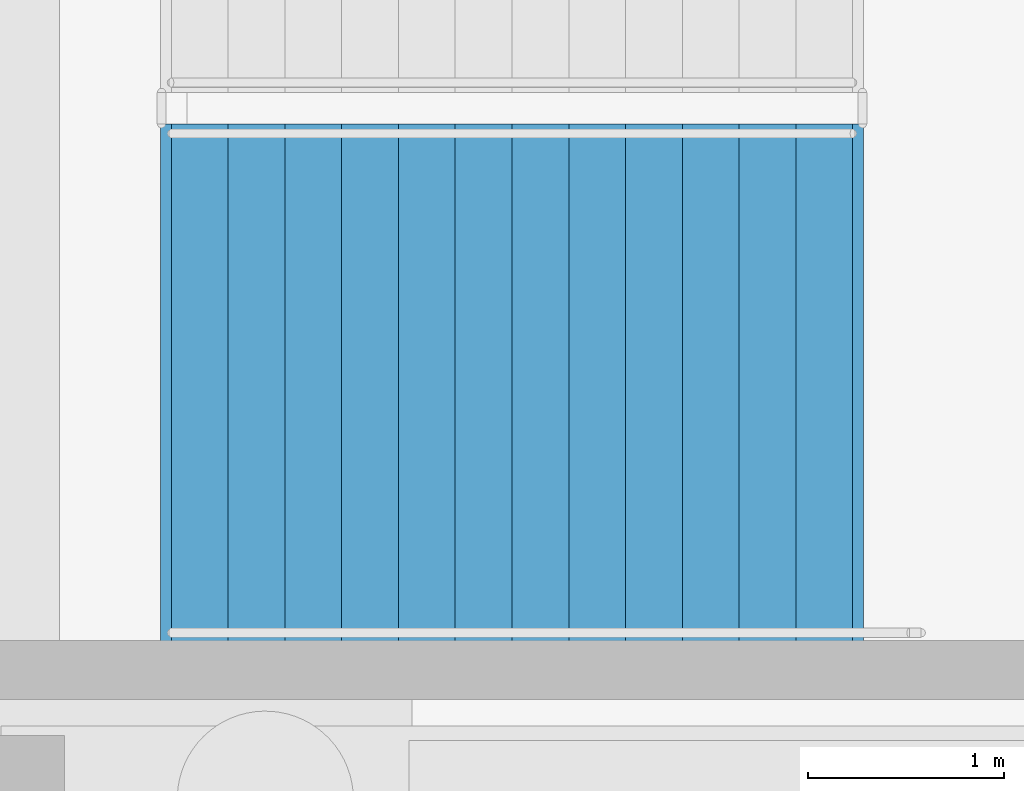
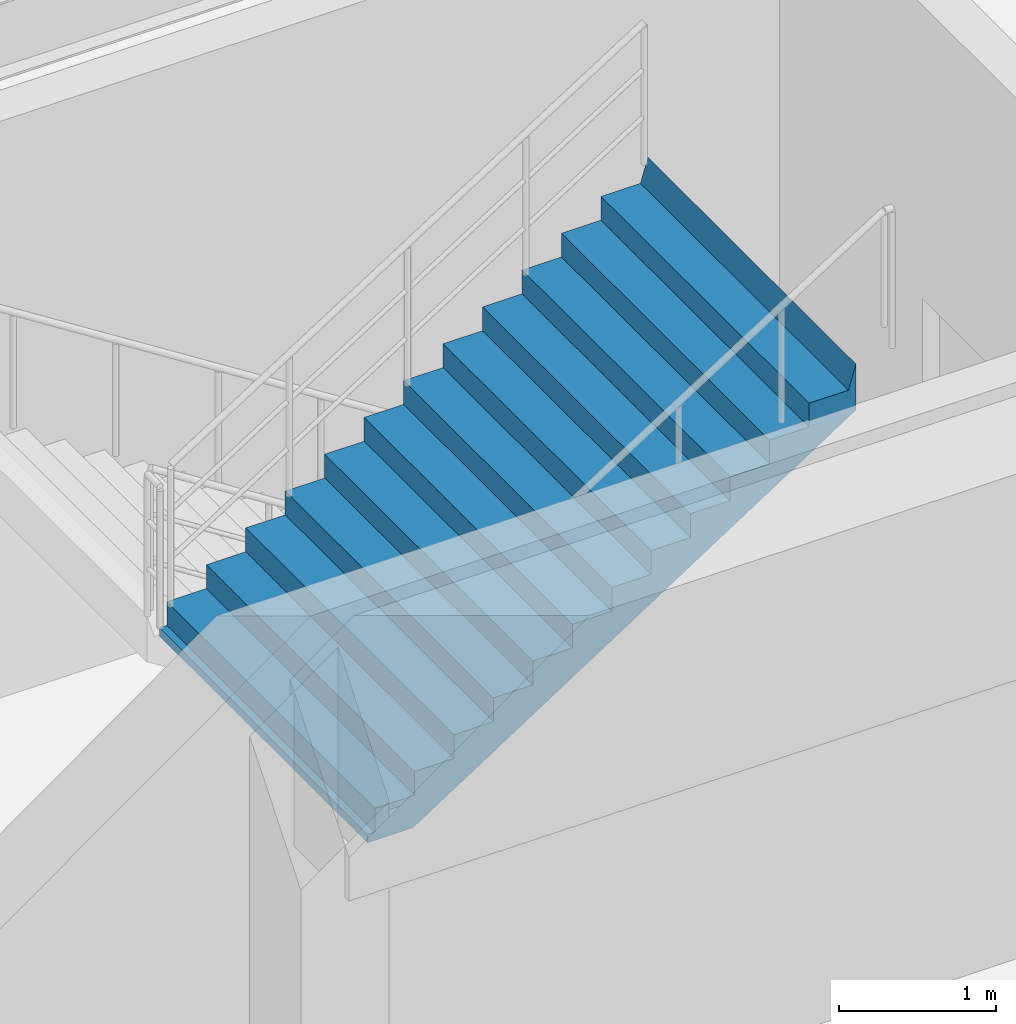
# One storey, part 44 of 68: 1 stair flight, 1 element without a shape of its own.
"""IFC4 building model written with IfcOpenShell, lengths in metres."""

from ifc_helpers import new_model, si_unit, direction, frame, origin, place, context, subcontext, project, spatial, polyline, outline, extrude, material, type_object, element, aggregate, save


model = new_model("IFC4")

# Units and contexts
model_context = context("Model", 3, precision=1e-05, world=origin(), true_north=direction((0.0, 1.0)))
body_context = subcontext(model_context, "Body", "Model", "MODEL_VIEW")
ifc_project = project(units=[si_unit("LENGTHUNIT", "METRE"), si_unit("AREAUNIT", "SQUARE_METRE"), si_unit("VOLUMEUNIT", "CUBIC_METRE"), si_unit("PLANEANGLEUNIT", "RADIAN"), si_unit("MASSUNIT", "GRAM", prefix="KILO")], contexts=[model_context])

# Site, building, storey
site_placement = place(None, origin())
site = spatial("IfcSite", under=ifc_project, at=site_placement, CompositionType="ELEMENT")
building_placement = place(site_placement, origin())
building = spatial("IfcBuilding", under=site, at=building_placement, Name="Cinderbank Siding Concert Hall", CompositionType="ELEMENT")
storey_placement = place(building_placement, frame((0.0, 0.0, -4.800048828125)))
storey = spatial("IfcBuildingStorey", under=building, at=storey_placement, Name="B1", CompositionType="ELEMENT", Elevation=-4.800048828125)

# Stair, stair flight
ifc_material = material(Name="Reinforced concrete AS 3600 N50 (50 MPa)", Category="concrete")
stair_type = type_object("IfcStairType", Name="STR-A Dogleg Exit Stair 2650mm", PredefinedType="HALF_TURN_STAIR", material=ifc_material)
stair_placement = place(storey_placement, origin())
stair = element("IfcStair", 1, at=stair_placement, inside=storey, type_object=stair_type, Name="B1 Chamber Pavilion Exit Stair ST-06", PredefinedType="HALF_TURN_STAIR")
stair_flight_type = type_object("IfcStairFlightType", Name="SFL-A Concrete Stair Flight 2650mm", PredefinedType="STRAIGHT", material=ifc_material)
stair_flight_placement = place(storey_placement, frame((13.27001953125, 30.125, 2.400146484375), z_axis=(0.0, 0.0, 1.0), x_axis=(1.0, 0.0, 0.0)))
stair_flight = element("IfcStairFlight", 2, at=stair_flight_placement, type_object=stair_flight_type, Name="ST-06 flight 2", NumberOfRisers=13, NumberOfTreads=12, PredefinedType="STRAIGHT", RiserHeight=0.184615385, TreadLength=0.29, context=body_context, shape_type="SweptSolid", body=[
    extrude(outline(polyline([(0.0, 0.0), (0.0, 0.1845703125), (0.2900390625, 0.1845703125), (0.2900390625, 0.369140625), (0.580078125, 0.369140625), (0.580078125, 0.553955078125), (0.8701171875, 0.553955078125), (0.8701171875, 0.738525390625), (1.159912109375, 0.738525390625), (1.159912109375, 0.923095703125), (1.449951171875, 0.923095703125), (1.449951171875, 1.107666015625), (1.739990234375, 1.107666015625), (1.739990234375, 1.292236328125), (2.030029296875, 1.292236328125), (2.030029296875, 1.476806640625), (2.320068359375, 1.476806640625), (2.320068359375, 1.66162109375), (2.610107421875, 1.66162109375), (2.610107421875, 1.84619140625), (2.89990234375, 1.84619140625), (2.89990234375, 2.03076171875), (3.18994140625, 2.03076171875), (3.18994140625, 2.21533203125), (3.47998046875, 2.21533203125), (3.534912109375, 2.39990234375), (3.534912109375, 2.03759765625), (3.53466796875, 2.037841796875), (3.53466796875, 2.0380859375), (3.53466796875, 2.038330078125), (3.53466796875, 2.03857421875), (3.53466796875, 2.038818359375), (3.53466796875, 2.0390625), (3.53466796875, 2.039306640625), (3.53466796875, 2.03955078125), (3.53466796875, 2.039794921875), (3.53466796875, 2.0400390625), (3.53466796875, 2.040283203125), (3.53466796875, 2.04052734375), (3.534423828125, 2.04052734375), (3.534423828125, 2.040283203125), (3.534423828125, 2.0400390625), (3.534423828125, 2.039794921875), (3.534423828125, 2.03955078125), (3.534423828125, 2.039306640625), (3.534423828125, 2.0390625), (3.534423828125, 2.038818359375), (3.534423828125, 2.03857421875), (3.534423828125, 2.038330078125), (3.534423828125, 2.0380859375), (3.534423828125, 2.037841796875), (3.534423828125, 2.03759765625), (3.5341796875, 2.037841796875), (3.5341796875, 2.0380859375), (3.5341796875, 2.038330078125), (3.5341796875, 2.03857421875), (3.5341796875, 2.038818359375), (3.5341796875, 2.0390625), (3.5341796875, 2.039306640625), (3.5341796875, 2.03955078125), (3.5341796875, 2.039794921875), (3.5341796875, 2.0400390625), (3.5341796875, 2.040283203125), (3.5341796875, 2.04052734375), (3.533935546875, 2.04052734375), (3.533935546875, 2.040283203125), (3.533935546875, 2.0400390625), (3.533935546875, 2.039794921875), (3.533935546875, 2.03955078125), (3.533935546875, 2.039306640625), (3.533935546875, 2.0390625), (3.533935546875, 2.038818359375), (3.533935546875, 2.03857421875), (3.533935546875, 2.038330078125), (3.533935546875, 2.0380859375), (3.533935546875, 2.037841796875), (3.533935546875, 2.03759765625), (3.53369140625, 2.037841796875), (3.53369140625, 2.0380859375), (3.53369140625, 2.038330078125), (3.53369140625, 2.03857421875), (3.53369140625, 2.038818359375), (3.53369140625, 2.0390625), (3.53369140625, 2.039306640625), (3.53369140625, 2.03955078125), (3.53369140625, 2.039794921875), (3.53369140625, 2.0400390625), (3.53369140625, 2.040283203125), (3.53369140625, 2.04052734375), (3.533447265625, 2.04052734375), (3.533447265625, 2.040283203125), (3.533447265625, 2.0400390625), (3.533447265625, 2.039794921875), (3.533447265625, 2.03955078125), (3.533447265625, 2.039306640625), (3.533447265625, 2.0390625), (3.533447265625, 2.038818359375), (3.533447265625, 2.03857421875), (3.533447265625, 2.038330078125), (3.533447265625, 2.0380859375), (3.533447265625, 2.037841796875), (3.533447265625, 2.03759765625), (3.533203125, 2.037841796875), (3.533203125, 2.0380859375), (3.533203125, 2.038330078125), (3.533203125, 2.03857421875), (3.533203125, 2.038818359375), (3.533203125, 2.0390625), (3.533203125, 2.039306640625), (3.533203125, 2.03955078125), (3.533203125, 2.039794921875), (3.533203125, 2.0400390625), (3.533203125, 2.040283203125), (3.533203125, 2.04052734375), (3.532958984375, 2.04052734375), (3.532958984375, 2.040283203125), (3.532958984375, 2.0400390625), (3.532958984375, 2.039794921875), (3.532958984375, 2.03955078125), (3.532958984375, 2.039306640625), (3.532958984375, 2.0390625), (3.532958984375, 2.038818359375), (3.532958984375, 2.03857421875), (3.532958984375, 2.038330078125), (3.532958984375, 2.0380859375), (3.532958984375, 2.037841796875), (3.532958984375, 2.03759765625), (3.53271484375, 2.037841796875), (3.53271484375, 2.0380859375), (3.53271484375, 2.038330078125), (3.53271484375, 2.03857421875), (3.53271484375, 2.038818359375), (3.53271484375, 2.0390625), (3.53271484375, 2.039306640625), (3.53271484375, 2.03955078125), (3.53271484375, 2.039794921875), (3.53271484375, 2.0400390625), (3.53271484375, 2.040283203125), (3.53271484375, 2.04052734375), (3.532470703125, 2.04052734375), (3.532470703125, 2.040283203125), (3.532470703125, 2.0400390625), (3.532470703125, 2.039794921875), (3.532470703125, 2.03955078125), (3.532470703125, 2.039306640625), (3.532470703125, 2.0390625), (3.532470703125, 2.038818359375), (3.532470703125, 2.03857421875), (3.532470703125, 2.038330078125), (3.532470703125, 2.0380859375), (3.532470703125, 2.037841796875), (3.532470703125, 2.03759765625), (3.5322265625, 2.037841796875), (3.5322265625, 2.0380859375), (3.5322265625, 2.038330078125), (3.5322265625, 2.03857421875), (3.5322265625, 2.038818359375), (3.5322265625, 2.0390625), (3.5322265625, 2.039306640625), (3.5322265625, 2.03955078125), (3.5322265625, 2.039794921875), (3.5322265625, 2.0400390625), (3.5322265625, 2.040283203125), (3.5322265625, 2.04052734375), (3.531982421875, 2.04052734375), (3.531982421875, 2.040283203125), (3.531982421875, 2.0400390625), (3.531982421875, 2.039794921875), (3.531982421875, 2.03955078125), (3.531982421875, 2.039306640625), (3.531982421875, 2.0390625), (3.531982421875, 2.038818359375), (3.531982421875, 2.03857421875), (3.531982421875, 2.038330078125), (3.531982421875, 2.0380859375), (3.531982421875, 2.037841796875), (3.531982421875, 2.03759765625), (3.53173828125, 2.037841796875), (3.53173828125, 2.0380859375), (3.53173828125, 2.038330078125), (3.53173828125, 2.03857421875), (3.53173828125, 2.038818359375), (3.53173828125, 2.0390625), (3.53173828125, 2.039306640625), (3.53173828125, 2.03955078125), (3.53173828125, 2.039794921875), (3.53173828125, 2.0400390625), (3.53173828125, 2.040283203125), (3.53173828125, 2.04052734375), (3.531494140625, 2.04052734375), (3.531494140625, 2.040283203125), (3.531494140625, 2.0400390625), (3.531494140625, 2.039794921875), (3.531494140625, 2.03955078125), (3.531494140625, 2.039306640625), (3.531494140625, 2.0390625), (3.531494140625, 2.038818359375), (3.531494140625, 2.03857421875), (3.531494140625, 2.038330078125), (3.531494140625, 2.0380859375), (3.531494140625, 2.037841796875), (3.531494140625, 2.03759765625), (3.53125, 2.037841796875), (3.53125, 2.0380859375), (3.53125, 2.038330078125), (3.53125, 2.03857421875), (3.53125, 2.038818359375), (3.53125, 2.0390625), (3.53125, 2.039306640625), (3.53125, 2.03955078125), (3.53125, 2.039794921875), (3.53125, 2.0400390625), (3.53125, 2.040283203125), (3.53125, 2.04052734375), (3.531005859375, 2.04052734375), (3.531005859375, 2.040283203125), (3.531005859375, 2.0400390625), (3.531005859375, 2.039794921875), (3.531005859375, 2.03955078125), (3.531005859375, 2.039306640625), (3.531005859375, 2.0390625), (3.531005859375, 2.038818359375), (3.531005859375, 2.03857421875), (3.531005859375, 2.038330078125), (3.531005859375, 2.0380859375), (3.531005859375, 2.037841796875), (3.531005859375, 2.03759765625), (3.53076171875, 2.037841796875), (3.53076171875, 2.0380859375), (3.53076171875, 2.038330078125), (3.53076171875, 2.03857421875), (3.53076171875, 2.038818359375), (3.53076171875, 2.0390625), (3.53076171875, 2.039306640625), (3.53076171875, 2.03955078125), (3.53076171875, 2.039794921875), (3.53076171875, 2.0400390625), (3.53076171875, 2.040283203125), (3.53076171875, 2.04052734375), (3.530517578125, 2.04052734375), (3.530517578125, 2.040283203125), (3.530517578125, 2.0400390625), (3.530517578125, 2.039794921875), (3.530517578125, 2.03955078125), (3.530517578125, 2.039306640625), (3.530517578125, 2.0390625), (3.530517578125, 2.038818359375), (3.530517578125, 2.03857421875), (3.530517578125, 2.038330078125), (3.530517578125, 2.0380859375), (3.530517578125, 2.037841796875), (3.530517578125, 2.03759765625), (3.5302734375, 2.037841796875), (3.5302734375, 2.0380859375), (3.5302734375, 2.038330078125), (3.5302734375, 2.03857421875), (3.5302734375, 2.038818359375), (3.5302734375, 2.0390625), (3.5302734375, 2.039306640625), (3.5302734375, 2.03955078125), (3.5302734375, 2.039794921875), (3.5302734375, 2.0400390625), (3.5302734375, 2.040283203125), (3.5302734375, 2.04052734375), (3.530029296875, 2.04052734375), (3.530029296875, 2.040283203125), (3.530029296875, 2.0400390625), (3.530029296875, 2.039794921875), (3.530029296875, 2.03955078125), (3.530029296875, 2.039306640625), (3.530029296875, 2.0390625), (3.530029296875, 2.038818359375), (3.530029296875, 2.03857421875), (3.530029296875, 2.038330078125), (3.530029296875, 2.0380859375), (3.530029296875, 2.037841796875), (3.530029296875, 2.03759765625), (3.52978515625, 2.037841796875), (3.52978515625, 2.0380859375), (3.52978515625, 2.038330078125), (3.52978515625, 2.03857421875), (3.52978515625, 2.038818359375), (3.52978515625, 2.0390625), (3.52978515625, 2.039306640625), (3.52978515625, 2.03955078125), (3.52978515625, 2.039794921875), (3.52978515625, 2.0400390625), (3.52978515625, 2.040283203125), (3.52978515625, 2.04052734375), (3.529541015625, 2.04052734375), (3.529541015625, 2.040283203125), (3.529541015625, 2.0400390625), (3.529541015625, 2.039794921875), (3.529541015625, 2.03955078125), (3.529541015625, 2.039306640625), (3.529541015625, 2.0390625), (3.529541015625, 2.038818359375), (3.529541015625, 2.03857421875), (3.529541015625, 2.038330078125), (3.529541015625, 2.0380859375), (3.529541015625, 2.037841796875), (3.529541015625, 2.03759765625), (3.529296875, 2.037841796875), (3.529296875, 2.0380859375), (3.529296875, 2.038330078125), (3.529296875, 2.03857421875), (3.529296875, 2.038818359375), (3.529296875, 2.0390625), (3.529296875, 2.039306640625), (3.529296875, 2.03955078125), (3.529296875, 2.039794921875), (3.529296875, 2.0400390625), (3.529296875, 2.040283203125), (3.529296875, 2.04052734375), (3.529052734375, 2.04052734375), (3.529052734375, 2.040283203125), (3.529052734375, 2.0400390625), (3.529052734375, 2.039794921875), (3.529052734375, 2.03955078125), (3.529052734375, 2.039306640625), (3.529052734375, 2.0390625), (3.529052734375, 2.038818359375), (3.529052734375, 2.03857421875), (3.529052734375, 2.038330078125), (3.529052734375, 2.0380859375), (3.529052734375, 2.037841796875), (3.529052734375, 2.03759765625), (3.52880859375, 2.037841796875), (3.52880859375, 2.0380859375), (3.52880859375, 2.038330078125), (3.52880859375, 2.03857421875), (3.52880859375, 2.038818359375), (3.52880859375, 2.0390625), (3.52880859375, 2.039306640625), (3.52880859375, 2.03955078125), (3.52880859375, 2.039794921875), (3.52880859375, 2.0400390625), (3.52880859375, 2.040283203125), (3.52880859375, 2.04052734375), (3.528564453125, 2.04052734375), (3.528564453125, 2.040283203125), (3.528564453125, 2.0400390625), (3.528564453125, 2.039794921875), (3.528564453125, 2.03955078125), (3.528564453125, 2.039306640625), (3.528564453125, 2.0390625), (3.528564453125, 2.038818359375), (3.528564453125, 2.03857421875), (3.528564453125, 2.038330078125), (3.528564453125, 2.0380859375), (3.528564453125, 2.037841796875), (3.528564453125, 2.03759765625), (0.279052734375, -0.06396484375), (-0.048583984375, -0.063720703125), (-0.048583984375, -0.0634765625), (-0.048583984375, -0.063232421875), (-0.048583984375, -0.06298828125), (-0.048583984375, -0.062744140625), (-0.048583984375, -0.0625), (-0.048583984375, -0.062255859375), (-0.048583984375, -0.06201171875), (-0.048583984375, -0.061767578125), (-0.048583984375, -0.0615234375), (-0.048583984375, -0.061279296875), (-0.048583984375, -0.06103515625), (-0.048828125, -0.06103515625), (-0.048828125, -0.061279296875), (-0.048828125, -0.0615234375), (-0.048828125, -0.061767578125), (-0.048828125, -0.06201171875), (-0.048828125, -0.062255859375), (-0.048828125, -0.0625), (-0.048828125, -0.062744140625), (-0.048828125, -0.06298828125), (-0.048828125, -0.063232421875), (-0.048828125, -0.0634765625), (-0.048828125, -0.063720703125), (-0.048828125, -0.06396484375), (-0.049072265625, -0.063720703125), (-0.049072265625, -0.0634765625), (-0.049072265625, -0.063232421875), (-0.049072265625, -0.06298828125), (-0.049072265625, -0.062744140625), (-0.049072265625, -0.0625), (-0.049072265625, -0.062255859375), (-0.049072265625, -0.06201171875), (-0.049072265625, -0.061767578125), (-0.049072265625, -0.0615234375), (-0.049072265625, -0.061279296875), (-0.049072265625, -0.06103515625), (-0.04931640625, -0.06103515625), (-0.04931640625, -0.061279296875), (-0.04931640625, -0.0615234375), (-0.04931640625, -0.061767578125), (-0.04931640625, -0.06201171875), (-0.04931640625, -0.062255859375), (-0.04931640625, -0.0625), (-0.04931640625, -0.062744140625), (-0.04931640625, -0.06298828125), (-0.04931640625, -0.063232421875), (-0.04931640625, -0.0634765625), (-0.04931640625, -0.063720703125), (-0.04931640625, -0.06396484375), (-0.049560546875, -0.063720703125), (-0.049560546875, -0.0634765625), (-0.049560546875, -0.063232421875), (-0.049560546875, -0.06298828125), (-0.049560546875, -0.062744140625), (-0.049560546875, -0.0625), (-0.049560546875, -0.062255859375), (-0.049560546875, -0.06201171875), (-0.049560546875, -0.061767578125), (-0.049560546875, -0.0615234375), (-0.049560546875, -0.061279296875), (-0.049560546875, -0.06103515625), (-0.0498046875, -0.06103515625), (-0.0498046875, -0.061279296875), (-0.0498046875, -0.0615234375), (-0.0498046875, -0.061767578125), (-0.0498046875, -0.06201171875), (-0.0498046875, -0.062255859375), (-0.0498046875, -0.0625), (-0.0498046875, -0.062744140625), (-0.0498046875, -0.06298828125), (-0.0498046875, -0.063232421875), (-0.0498046875, -0.0634765625), (-0.0498046875, -0.063720703125), (-0.0498046875, -0.06396484375), (-0.050048828125, -0.063720703125), (-0.050048828125, -0.0634765625), (-0.050048828125, -0.063232421875), (-0.050048828125, -0.06298828125), (-0.050048828125, -0.062744140625), (-0.050048828125, -0.0625), (-0.050048828125, -0.062255859375), (-0.050048828125, -0.06201171875), (-0.050048828125, -0.061767578125), (-0.050048828125, -0.0615234375), (-0.050048828125, -0.061279296875), (-0.050048828125, -0.06103515625), (-0.05029296875, -0.06103515625), (-0.05029296875, -0.061279296875), (-0.05029296875, -0.0615234375), (-0.05029296875, -0.061767578125), (-0.05029296875, -0.06201171875), (-0.05029296875, -0.062255859375), (-0.05029296875, -0.0625), (-0.05029296875, -0.062744140625), (-0.05029296875, -0.06298828125), (-0.05029296875, -0.063232421875), (-0.05029296875, -0.0634765625), (-0.05029296875, -0.063720703125), (-0.05029296875, -0.06396484375), (-0.050537109375, -0.063720703125), (-0.050537109375, -0.0634765625), (-0.050537109375, -0.063232421875), (-0.050537109375, -0.06298828125), (-0.050537109375, -0.062744140625), (-0.050537109375, -0.0625), (-0.050537109375, -0.062255859375), (-0.050537109375, -0.06201171875), (-0.050537109375, -0.061767578125), (-0.050537109375, -0.0615234375), (-0.050537109375, -0.061279296875), (-0.050537109375, -0.06103515625), (-0.05078125, -0.06103515625), (-0.05078125, -0.061279296875), (-0.05078125, -0.0615234375), (-0.05078125, -0.061767578125), (-0.05078125, -0.06201171875), (-0.05078125, -0.062255859375), (-0.05078125, -0.0625), (-0.05078125, -0.062744140625), (-0.05078125, -0.06298828125), (-0.05078125, -0.063232421875), (-0.05078125, -0.0634765625), (-0.05078125, -0.063720703125), (-0.05078125, -0.06396484375), (-0.051025390625, -0.063720703125), (-0.051025390625, -0.0634765625), (-0.051025390625, -0.063232421875), (-0.051025390625, -0.06298828125), (-0.051025390625, -0.062744140625), (-0.051025390625, -0.0625), (-0.051025390625, -0.062255859375), (-0.051025390625, -0.06201171875), (-0.051025390625, -0.061767578125), (-0.051025390625, -0.0615234375), (-0.051025390625, -0.061279296875), (-0.051025390625, -0.06103515625), (-0.05126953125, -0.06103515625), (-0.05126953125, -0.061279296875), (-0.05126953125, -0.0615234375), (-0.05126953125, -0.061767578125), (-0.05126953125, -0.06201171875), (-0.05126953125, -0.062255859375), (-0.05126953125, -0.0625), (-0.05126953125, -0.062744140625), (-0.05126953125, -0.06298828125), (-0.05126953125, -0.063232421875), (-0.05126953125, -0.0634765625), (-0.05126953125, -0.063720703125), (-0.05126953125, -0.06396484375), (-0.051513671875, -0.063720703125), (-0.051513671875, -0.0634765625), (-0.051513671875, -0.063232421875), (-0.051513671875, -0.06298828125), (-0.051513671875, -0.062744140625), (-0.051513671875, -0.0625), (-0.051513671875, -0.062255859375), (-0.051513671875, -0.06201171875), (-0.051513671875, -0.061767578125), (-0.051513671875, -0.0615234375), (-0.051513671875, -0.061279296875), (-0.051513671875, -0.06103515625), (-0.0517578125, -0.06103515625), (-0.0517578125, -0.061279296875), (-0.0517578125, -0.0615234375), (-0.0517578125, -0.061767578125), (-0.0517578125, -0.06201171875), (-0.0517578125, -0.062255859375), (-0.0517578125, -0.0625), (-0.0517578125, -0.062744140625), (-0.0517578125, -0.06298828125), (-0.0517578125, -0.063232421875), (-0.0517578125, -0.0634765625), (-0.0517578125, -0.063720703125), (-0.0517578125, -0.06396484375), (-0.052001953125, -0.063720703125), (-0.052001953125, -0.0634765625), (-0.052001953125, -0.063232421875), (-0.052001953125, -0.06298828125), (-0.052001953125, -0.062744140625), (-0.052001953125, -0.0625), (-0.052001953125, -0.062255859375), (-0.052001953125, -0.06201171875), (-0.052001953125, -0.061767578125), (-0.052001953125, -0.0615234375), (-0.052001953125, -0.061279296875), (-0.052001953125, -0.06103515625), (-0.05224609375, -0.06103515625), (-0.05224609375, -0.061279296875), (-0.05224609375, -0.0615234375), (-0.05224609375, -0.061767578125), (-0.05224609375, -0.06201171875), (-0.05224609375, -0.062255859375), (-0.05224609375, -0.0625), (-0.05224609375, -0.062744140625), (-0.05224609375, -0.06298828125), (-0.05224609375, -0.063232421875), (-0.05224609375, -0.0634765625), (-0.05224609375, -0.063720703125), (-0.05224609375, -0.06396484375), (-0.052490234375, -0.063720703125), (-0.052490234375, -0.0634765625), (-0.052490234375, -0.063232421875), (-0.052490234375, -0.06298828125), (-0.052490234375, -0.062744140625), (-0.052490234375, -0.0625), (-0.052490234375, -0.062255859375), (-0.052490234375, -0.06201171875), (-0.052490234375, -0.061767578125), (-0.052490234375, -0.0615234375), (-0.052490234375, -0.061279296875), (-0.052490234375, -0.06103515625), (-0.052734375, -0.06103515625), (-0.052734375, -0.061279296875), (-0.052734375, -0.0615234375), (-0.052734375, -0.061767578125), (-0.052734375, -0.06201171875), (-0.052734375, -0.062255859375), (-0.052734375, -0.0625), (-0.052734375, -0.062744140625), (-0.052734375, -0.06298828125), (-0.052734375, -0.063232421875), (-0.052734375, -0.0634765625), (-0.052734375, -0.063720703125), (-0.052734375, -0.06396484375), (-0.052978515625, -0.063720703125), (-0.052978515625, -0.0634765625), (-0.052978515625, -0.063232421875), (-0.052978515625, -0.06298828125), (-0.052978515625, -0.062744140625), (-0.052978515625, -0.0625), (-0.052978515625, -0.062255859375), (-0.052978515625, -0.06201171875), (-0.052978515625, -0.061767578125), (-0.052978515625, -0.0615234375), (-0.052978515625, -0.061279296875), (-0.052978515625, -0.06103515625), (-0.05322265625, -0.06103515625), (-0.05322265625, -0.061279296875), (-0.05322265625, -0.0615234375), (-0.05322265625, -0.061767578125), (-0.05322265625, -0.06201171875), (-0.05322265625, -0.062255859375), (-0.05322265625, -0.0625), (-0.05322265625, -0.062744140625), (-0.05322265625, -0.06298828125), (-0.05322265625, -0.063232421875), (-0.05322265625, -0.0634765625), (-0.05322265625, -0.063720703125), (-0.05322265625, -0.06396484375), (-0.053466796875, -0.063720703125), (-0.053466796875, -0.0634765625), (-0.053466796875, -0.063232421875), (-0.053466796875, -0.06298828125), (-0.053466796875, -0.062744140625), (-0.053466796875, -0.0625), (-0.053466796875, -0.062255859375), (-0.053466796875, -0.06201171875), (-0.053466796875, -0.061767578125), (-0.053466796875, -0.0615234375), (-0.053466796875, -0.061279296875), (-0.053466796875, -0.06103515625), (-0.0537109375, -0.06103515625), (-0.0537109375, -0.061279296875), (-0.0537109375, -0.0615234375), (-0.0537109375, -0.061767578125), (-0.0537109375, -0.06201171875), (-0.0537109375, -0.062255859375), (-0.0537109375, -0.0625), (-0.0537109375, -0.062744140625), (-0.0537109375, -0.06298828125), (-0.0537109375, -0.063232421875), (-0.0537109375, -0.0634765625), (-0.0537109375, -0.063720703125), (-0.0537109375, -0.06396484375), (-0.053955078125, -0.063720703125), (-0.053955078125, -0.0634765625), (-0.053955078125, -0.063232421875), (-0.053955078125, -0.06298828125), (-0.053955078125, -0.062744140625), (-0.053955078125, -0.0625), (-0.053955078125, -0.062255859375), (-0.053955078125, -0.06201171875), (-0.053955078125, -0.061767578125), (-0.053955078125, -0.0615234375), (-0.053955078125, -0.061279296875), (-0.053955078125, -0.06103515625), (-0.05419921875, -0.06103515625), (-0.05419921875, -0.061279296875), (-0.05419921875, -0.0615234375), (-0.05419921875, -0.061767578125), (-0.05419921875, -0.06201171875), (-0.05419921875, -0.062255859375), (-0.05419921875, -0.0625), (-0.05419921875, -0.062744140625), (-0.05419921875, -0.06298828125), (-0.05419921875, -0.063232421875), (-0.05419921875, -0.0634765625), (-0.05419921875, -0.063720703125), (-0.05419921875, -0.06396484375), (-0.054443359375, -0.063720703125), (-0.054443359375, -0.0634765625), (-0.054443359375, -0.063232421875), (-0.054443359375, -0.06298828125), (-0.054443359375, -0.062744140625), (-0.054443359375, -0.0625), (-0.054443359375, -0.062255859375), (-0.054443359375, -0.06201171875), (-0.054443359375, -0.061767578125), (-0.054443359375, -0.0615234375), (-0.054443359375, -0.061279296875), (-0.054443359375, -0.06103515625), (-0.0546875, -0.06103515625), (-0.0546875, -0.061279296875), (-0.0546875, -0.0615234375), (-0.0546875, -0.061767578125), (-0.0546875, -0.06201171875), (-0.0546875, -0.062255859375), (-0.0546875, -0.0625), (-0.0546875, -0.062744140625), (-0.0546875, -0.06298828125), (-0.0546875, -0.063232421875), (-0.0546875, -0.0634765625), (-0.0546875, -0.063720703125), (-0.0546875, -0.06396484375), (-0.054931640625, -0.06396484375), (-0.054931640625, 0.0), (0.0, 0.0)])), frame((0.0, 1.324951171875, 0.0), z_axis=(0.0, -1.0, 0.0), x_axis=(1.0, 0.0, 0.0)), (0.0, 0.0, 1.0), 2.64990234375),
])
aggregate(stair, [stair_flight])

save(model, "model.ifc")
